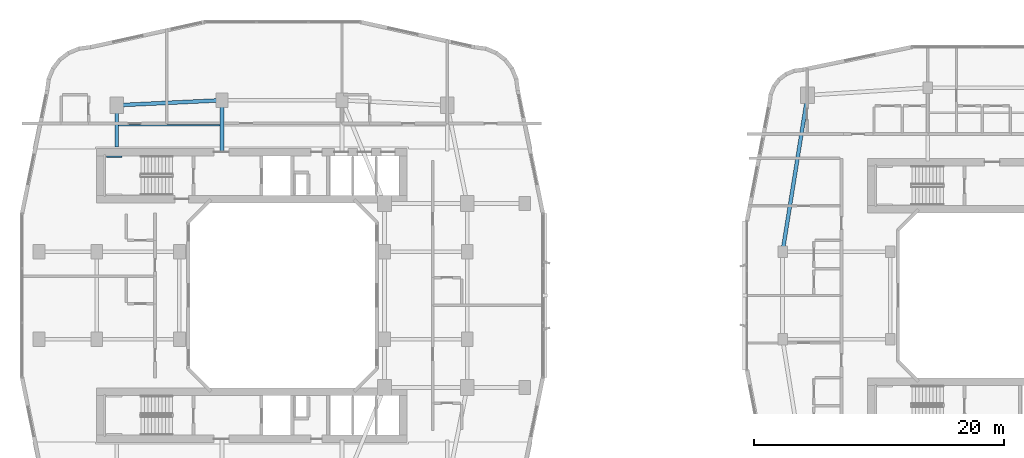
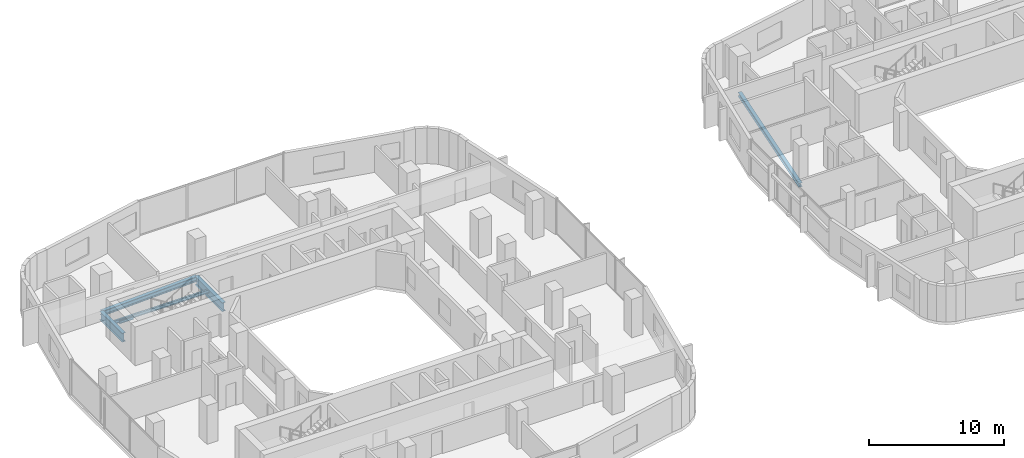
# One storey, part 6 of 26: 6 beams.
"""IFC4 building model written with IfcOpenShell, lengths in metres."""

from ifc_helpers import new_model, si_unit, derived_unit, direction, frame, origin, origin_2d, place, context, subcontext, project, spatial, i_section, extrude, material, material_profile, profile_set, type_object, element, save


model = new_model("IFC4")

# Units and contexts
model_context = context("Model", 3, precision=1e-05, world=origin(), true_north=direction((0.0, 1.0)))
body_context = subcontext(model_context, "Body", "Model", "MODEL_VIEW")
ifc_project = project(units=[si_unit("LENGTHUNIT", "METRE"), si_unit("AREAUNIT", "SQUARE_METRE"), si_unit("VOLUMEUNIT", "CUBIC_METRE"), si_unit("PLANEANGLEUNIT", "RADIAN"), si_unit("MASSUNIT", "GRAM", prefix="KILO"), derived_unit("THERMALTRANSMITTANCEUNIT", [(si_unit("POWERUNIT", "WATT"), 1), (si_unit("LENGTHUNIT", "METRE"), -2), (si_unit("THERMODYNAMICTEMPERATUREUNIT", "KELVIN"), -1)])], contexts=[model_context])

# Site, building, storey
site_placement = place(None, origin())
site = spatial("IfcSite", under=ifc_project, at=site_placement, CompositionType="ELEMENT")
building_placement = place(site_placement, origin())
building = spatial("IfcBuilding", under=site, at=building_placement, Name="Kivonza Crest Hotel", CompositionType="ELEMENT")
storey_placement = place(building_placement, frame((0.0, 0.0, 45.0)))
storey = spatial("IfcBuildingStorey", under=building, at=storey_placement, Name="L11", CompositionType="ELEMENT", Elevation=45.0)

# Beams
ifc_material = material(Name="Steel S355", Category="steel")
ifc_material_profile_1 = material_profile(ifc_material, i_section(OverallWidth=0.300048828125, OverallDepth=0.360107421875, WebThickness=0.012451171875, FlangeThickness=0.0224609375, FilletRadius=0.027099609375, at=origin_2d()), Name="HEB 360")
ifc_profile_set_1 = profile_set([ifc_material_profile_1], Name="Steel S355")
beam_type_1 = type_object("IfcBeamType", Name="BM-HEB360", PredefinedType="SPANDREL", material=ifc_profile_set_1)
beam_1_placement = place(storey_placement, frame((63.0, 41.0, -0.429931640625), z_axis=(-0.157990501107, -0.987440631917, 0.0), x_axis=(0.987440631917, -0.157990501107, 0.0)))
element("IfcBeam", 1, at=beam_1_placement, inside=storey, type_object=beam_type_1, Name="Companion Tower T2 L11 perimeter spandrel NW-W2", PredefinedType="SPANDREL", context=body_context, shape_type="SweptSolid", body=[
    extrude(i_section(OverallWidth=0.300048828125, OverallDepth=0.360107421875, WebThickness=0.012451171875, FlangeThickness=0.0224609375, FilletRadius=0.027099609375, at=origin_2d()), origin(), (0.0, 0.0, 1.0), 12.658935546875),
])
ifc_material_profile_2 = material_profile(ifc_material, i_section(OverallWidth=0.300048828125, OverallDepth=0.449951171875, WebThickness=0.013916015625, FlangeThickness=0.02587890625, FilletRadius=0.027099609375, at=origin_2d()), Name="HEB 450")
ifc_profile_set_2 = profile_set([ifc_material_profile_2], Name="Steel S355")
beam_type_2 = type_object("IfcBeamType", Name="BM-HEB450", PredefinedType="SPANDREL", material=ifc_profile_set_2)
beam_2_placement = place(storey_placement, frame((16.199951171875, 40.60009765625, -0.5048828125), z_axis=(-0.998867283688, -0.047583080799, 0.0), x_axis=(0.047583080799, -0.998867283688, 0.0)))
element("IfcBeam", 2, at=beam_2_placement, inside=storey, type_object=beam_type_2, Name="Tower T1 L11 perimeter spandrel N1-NW", PredefinedType="SPANDREL", context=body_context, shape_type="SweptSolid", body=[
    extrude(i_section(OverallWidth=0.300048828125, OverallDepth=0.449951171875, WebThickness=0.013916015625, FlangeThickness=0.02587890625, FilletRadius=0.027099609375, at=origin_2d()), origin(), (0.0, 0.0, 1.0), 8.409423828125),
])
ifc_material_profile_3 = material_profile(ifc_material, i_section(OverallWidth=0.300048828125, OverallDepth=0.800048828125, WebThickness=0.017578125, FlangeThickness=0.032958984375, FilletRadius=0.030029296875, at=origin_2d()), Name="HEB 800")
ifc_profile_set_3 = profile_set([ifc_material_profile_3], Name="Steel S355")
beam_type_3 = type_object("IfcBeamType", Name="BM-HEB800", PredefinedType="BEAM", material=ifc_profile_set_3)
beam_3_placement = place(storey_placement, frame((7.800048828125, 40.199951171875, -0.679931640625), z_axis=(0.0, -1.0, 0.0), x_axis=(1.0, 0.0, 0.0)))
element("IfcBeam", 3, at=beam_3_placement, inside=storey, type_object=beam_type_3, Name="Tower T1 L11 radial core girder RNW", PredefinedType="BEAM", context=body_context, shape_type="SweptSolid", body=[
    extrude(i_section(OverallWidth=0.300048828125, OverallDepth=0.800048828125, WebThickness=0.017578125, FlangeThickness=0.032958984375, FilletRadius=0.030029296875, at=origin_2d()), origin(), (0.0, 0.0, 1.0), 3.349853515625),
])
beam_4_placement = place(storey_placement, frame((16.199951171875, 40.60009765625, -0.679931640625), z_axis=(0.0, -1.0, 0.0), x_axis=(1.0, 0.0, 0.0)))
element("IfcBeam", 4, at=beam_4_placement, inside=storey, type_object=beam_type_3, Name="Tower T1 L11 radial core girder RN1", PredefinedType="BEAM", context=body_context, shape_type="SweptSolid", body=[
    extrude(i_section(OverallWidth=0.300048828125, OverallDepth=0.800048828125, WebThickness=0.017578125, FlangeThickness=0.032958984375, FilletRadius=0.030029296875, at=origin_2d()), origin(), (0.0, 0.0, 1.0), 4.050048828125),
])
ifc_material_profile_4 = material_profile(ifc_material, i_section(OverallWidth=0.14990234375, OverallDepth=0.300048828125, WebThickness=0.007080078125, FlangeThickness=0.0107421875, FilletRadius=0.014892578125, at=origin_2d()), Name="IPE 300")
ifc_profile_set_4 = profile_set([ifc_material_profile_4], Name="Steel S355")
beam_type_4 = type_object("IfcBeamType", Name="BM-IPE300", PredefinedType="JOIST", material=ifc_profile_set_4)
beam_5_placement = place(storey_placement, frame((7.8798828125, 38.60009765625, -0.429931640625), z_axis=(1.0, 0.0, 0.0), x_axis=(0.0, 1.0, 0.0)))
element("IfcBeam", 5, at=beam_5_placement, inside=storey, type_object=beam_type_4, Name="Tower T1 L11 North-West floor joist", PredefinedType="JOIST", context=body_context, shape_type="SweptSolid", body=[
    extrude(i_section(OverallWidth=0.14990234375, OverallDepth=0.300048828125, WebThickness=0.007080078125, FlangeThickness=0.0107421875, FilletRadius=0.014892578125, at=origin_2d()), origin(), (0.0, 0.0, 1.0), 8.240234375),
])
ifc_material_profile_5 = material_profile(ifc_material, i_section(OverallWidth=0.1201171875, OverallDepth=0.239990234375, WebThickness=0.006103515625, FlangeThickness=0.009765625, FilletRadius=0.014892578125, at=origin_2d()), Name="IPE 240")
ifc_profile_set_5 = profile_set([ifc_material_profile_5], Name="Steel S355")
beam_type_5 = type_object("IfcBeamType", Name="BM-LLDG-240", PredefinedType="BEAM", material=ifc_profile_set_5)
beam_6_placement = place(storey_placement, frame((6.989990234375, 36.10009765625, 1.429931640625), z_axis=(1.0, 0.0, 0.0), x_axis=(0.0, 1.0, 0.0)))
element("IfcBeam", 6, at=beam_6_placement, inside=storey, type_object=beam_type_5, Name="Stair ST-T1-N L11 North landing corbel", PredefinedType="BEAM", context=body_context, shape_type="SweptSolid", body=[
    extrude(i_section(OverallWidth=0.1201171875, OverallDepth=0.239990234375, WebThickness=0.006103515625, FlangeThickness=0.009765625, FilletRadius=0.014892578125, at=origin_2d()), origin(), (0.0, 0.0, 1.0), 1.2099609375),
])

save(model, "model.ifc")
